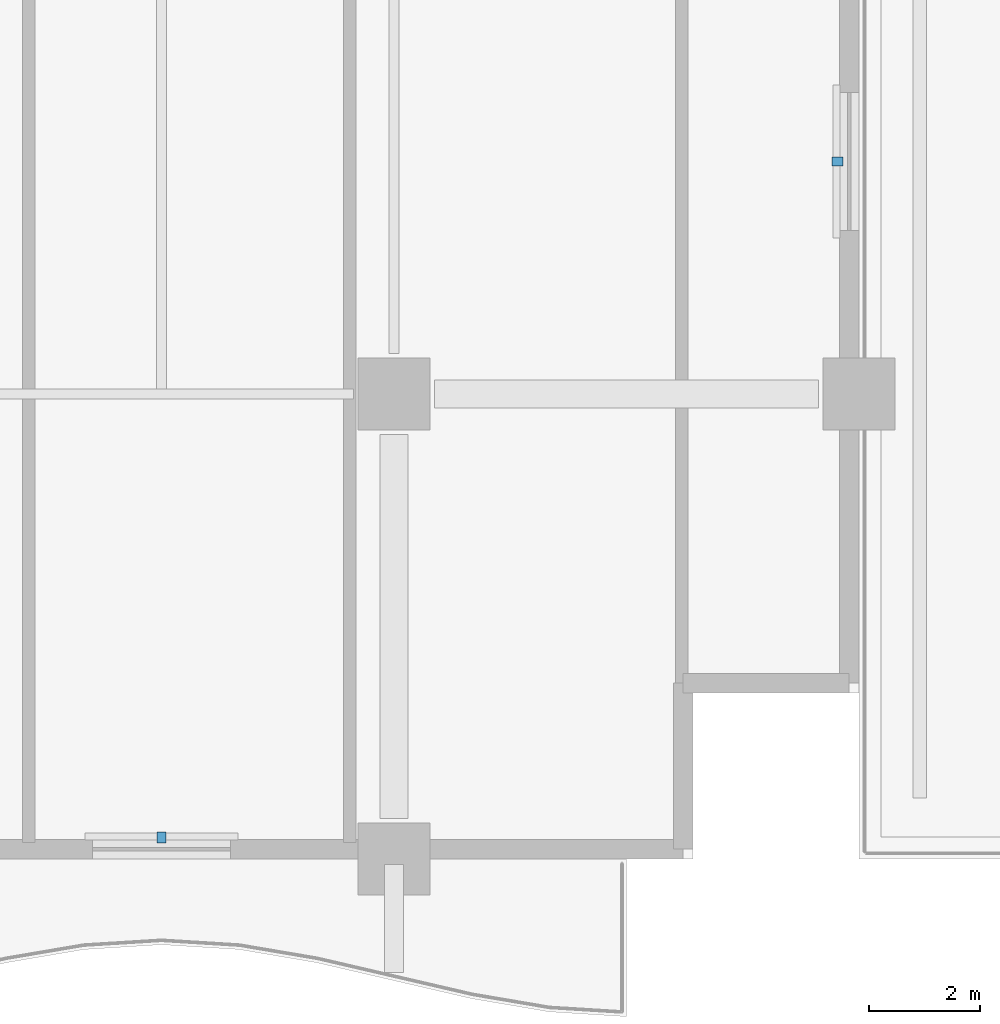
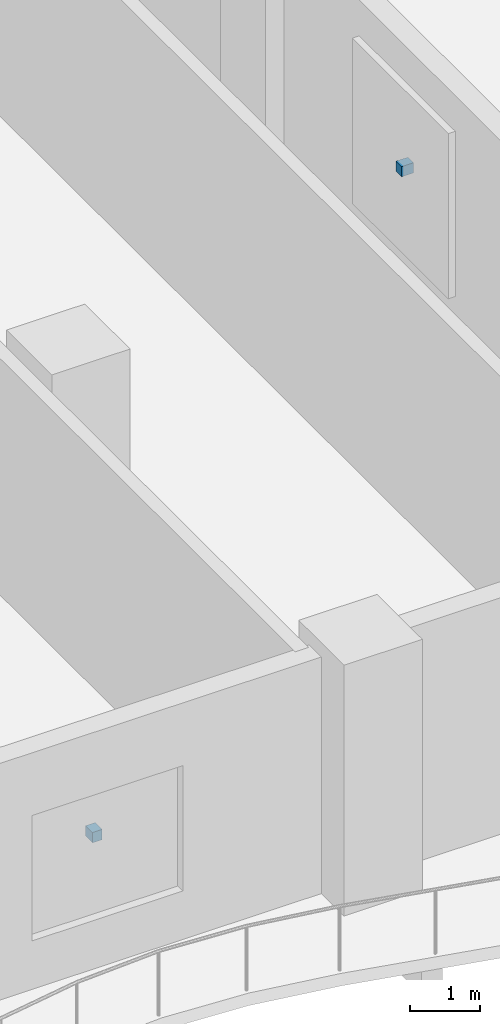
# One storey, part 16 of 21: 2 discrete accessories.
"""IFC4 building model written with IfcOpenShell, lengths in metres."""

from ifc_helpers import new_model, si_unit, direction, frame, origin, origin_2d, place, context, subcontext, project, spatial, rectangle, extrude, material, type_object, element, save


model = new_model("IFC4")

# Units and contexts
model_context = context("Model", 3, precision=1e-05, world=origin(), true_north=direction((0.0, 1.0)))
body_context = subcontext(model_context, "Body", "Model", "MODEL_VIEW")
ifc_project = project(units=[si_unit("LENGTHUNIT", "METRE"), si_unit("AREAUNIT", "SQUARE_METRE"), si_unit("VOLUMEUNIT", "CUBIC_METRE"), si_unit("PLANEANGLEUNIT", "RADIAN"), si_unit("MASSUNIT", "GRAM", prefix="KILO")], contexts=[model_context])

# Site, building, storey
site_placement = place(None, origin())
site = spatial("IfcSite", under=ifc_project, at=site_placement, CompositionType="ELEMENT")
building_placement = place(site_placement, origin())
building = spatial("IfcBuilding", under=site, at=building_placement, Name="Koriwani Terraces Tower", CompositionType="ELEMENT")
storey_placement = place(building_placement, frame((0.0, 0.0, 85.199951171875)))
storey = spatial("IfcBuildingStorey", under=building, at=storey_placement, Name="L20", CompositionType="ELEMENT", Elevation=85.199951171875)

# Discrete accessories
ifc_material = material(Name="Steel ASTM A572 Grade 50", Category="steel")
discrete_accessory_type = type_object("IfcDiscreteAccessoryType", Name="BAGUETTE_STANDOFF_BRACKET", PredefinedType="BRACKET", material=ifc_material)
for number, where, z_axis, x_axis, name in (
    (1, (75.2099609375, 12.60009765625, 1.98486328125), (0.0, 0.0, 1.0), (0.0, -1.0, 0.0), "L20 Terracotta Baguette Bracket (E_TIP-3)"),
    (2, (63.0, 0.389892578125, 1.98486328125), (0.0, 0.0, 1.0), (-1.0, 0.0, 0.0), "L20 Terracotta Baguette Bracket (S-21)"),
):
    element("IfcDiscreteAccessory", number, at=place(storey_placement, frame(where, z_axis=z_axis, x_axis=x_axis)), inside=storey, type_object=discrete_accessory_type, Name=name, PredefinedType="BRACKET", context=body_context, shape_type="SweptSolid", body=[
        extrude(rectangle(XDim=0.159912109375, YDim=0.199951171875, at=origin_2d()), origin(), (0.0, 0.0, 1.0), 0.179931640625),
    ])

save(model, "model.ifc")
